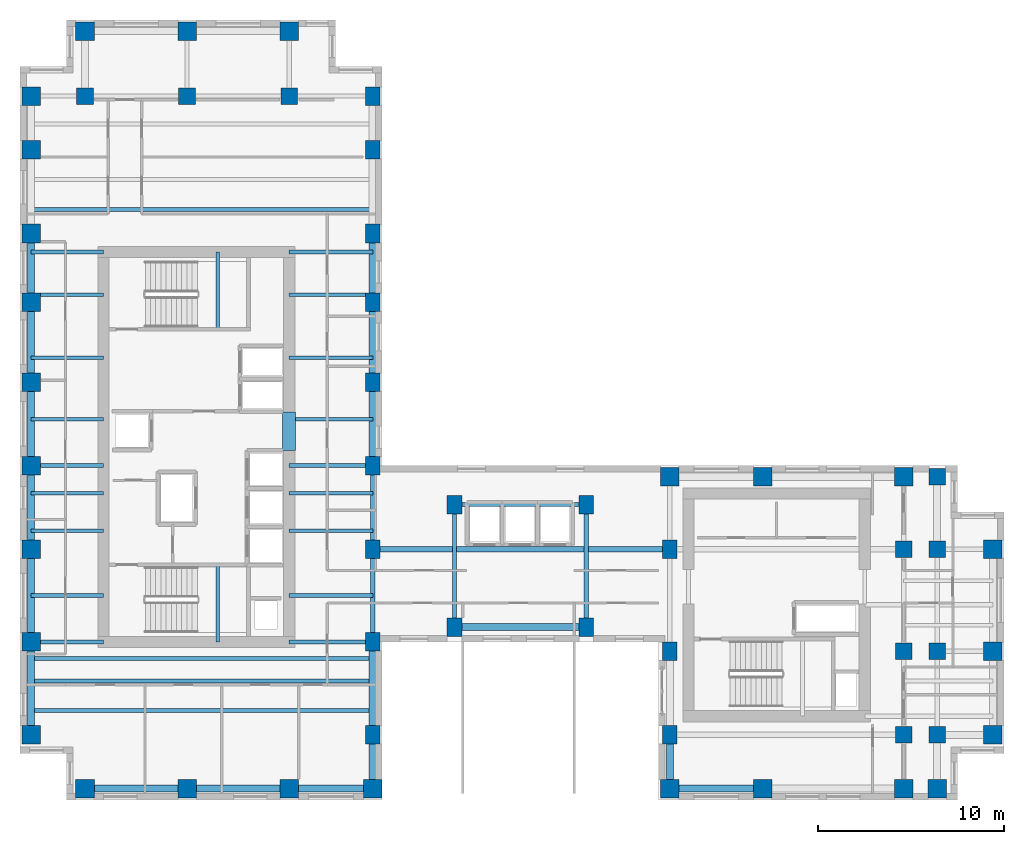
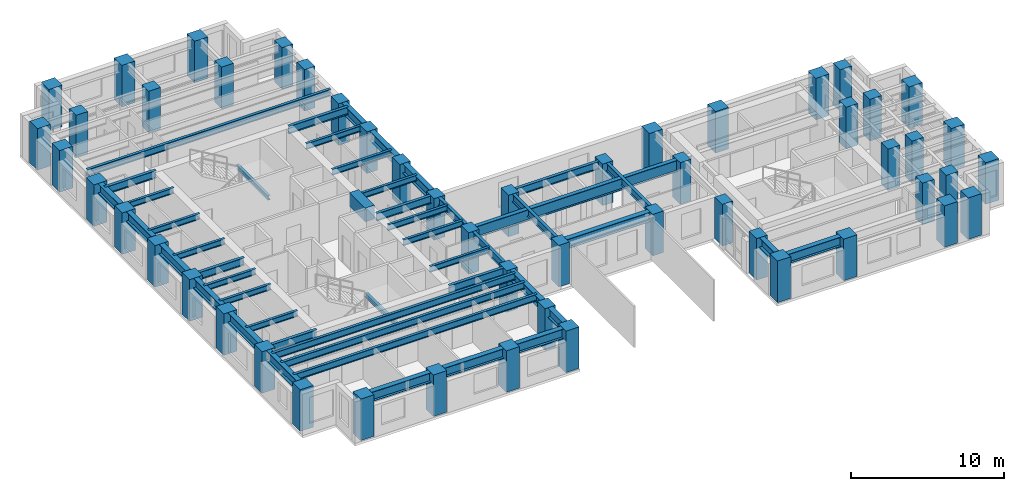
# One storey, part 1 of 12: 52 columns, 48 beams.
"""IFC4 building model written with IfcOpenShell, lengths in metres."""

from ifc_helpers import new_model, si_unit, direction, frame, origin, origin_2d, place, context, subcontext, project, spatial, rectangle, i_section, extrude, source, transform, mapped, material, material_profile, profile_set, type_object, element, save


model = new_model("IFC4")

# Units and contexts
model_context = context("Model", 3, precision=1e-05, world=origin(), true_north=direction((0.0, 1.0)))
body_context = subcontext(model_context, "Body", "Model", "MODEL_VIEW")
ifc_project = project(units=[si_unit("LENGTHUNIT", "METRE"), si_unit("AREAUNIT", "SQUARE_METRE"), si_unit("VOLUMEUNIT", "CUBIC_METRE"), si_unit("PLANEANGLEUNIT", "RADIAN"), si_unit("MASSUNIT", "GRAM", prefix="KILO")], contexts=[model_context])

# Site, building, storey
site_placement = place(None, origin())
site = spatial("IfcSite", under=ifc_project, at=site_placement, CompositionType="ELEMENT")
building_placement = place(site_placement, origin())
building = spatial("IfcBuilding", under=site, at=building_placement, Name="Kharzan Plaza Tower", CompositionType="ELEMENT")
storey_placement = place(building_placement, frame((0.0, 0.0, 204.300048828125)))
storey = spatial("IfcBuildingStorey", under=building, at=storey_placement, Name="L55", CompositionType="ELEMENT", Elevation=204.300048828125)

# Columns
ifc_material_1 = material(Name="Concrete C50/60", Category="concrete")
ifc_material_profile_1 = material_profile(ifc_material_1, rectangle(XDim=0.89990234375, YDim=0.89990234375, at=origin_2d()), Name="RC-IC900x900")
ifc_profile_set_1 = profile_set([ifc_material_profile_1], Name="Concrete C50/60")
column_type_1 = type_object("IfcColumnType", Name="COL-IC900", PredefinedType="COLUMN", material=ifc_profile_set_1)
shared_shape_1 = source(origin(), body_context, "Body", "SweptSolid", [
    extrude(rectangle(XDim=0.89990234375, YDim=0.89990234375, at=origin_2d()), origin(), (0.0, 0.0, 1.0), 3.320068359375),
])
for number, where, z_axis, x_axis, name in (
    (1, (47.60009765625, 13.5, 0.0), (0.0, 0.0, 1.0), (1.0, 0.0, 0.0), "L55 Structural Column TCBI-135"),
    (2, (47.60009765625, 3.5, 0.0), (0.0, 0.0, 1.0), (1.0, 0.0, 0.0), "L55 Structural Column TCBI-35"),
    (3, (47.60009765625, 8.0, 0.0), (0.0, 0.0, 1.0), (1.0, 0.0, 0.0), "L55 Structural Column TCBI-80"),
    (4, (49.39990234375, 13.5, 0.0), (0.0, 0.0, 1.0), (1.0, 0.0, 0.0), "L55 Structural Column TCE-494-135"),
    (5, (49.39990234375, 17.39990234375, 0.0), (0.0, 0.0, 1.0), (1.0, 0.0, 0.0), "L55 Structural Column TCE-494-174"),
    (6, (49.39990234375, 3.5, 0.0), (0.0, 0.0, 1.0), (1.0, 0.0, 0.0), "L55 Structural Column TCE-494-35"),
    (7, (49.39990234375, 8.0, 0.0), (0.0, 0.0, 1.0), (1.0, 0.0, 0.0), "L55 Structural Column TCE-494-80"),
    (8, (14.5, 37.89990234375, 0.0), (0.0, 0.0, 1.0), (1.0, 0.0, 0.0), "L55 Structural Column TCN-145-379"),
    (9, (3.5, 37.89990234375, 0.0), (0.0, 0.0, 1.0), (1.0, 0.0, 0.0), "L55 Structural Column TCN-35-379"),
    (10, (9.0, 37.89990234375, 0.0), (0.0, 0.0, 1.0), (1.0, 0.0, 0.0), "L55 Structural Column TCN-90-379"),
):
    element("IfcColumn", number, at=place(storey_placement, frame(where, z_axis=z_axis, x_axis=x_axis)), inside=storey, type_object=column_type_1, Name=name, PredefinedType="COLUMN", context=body_context, shape_type="MappedRepresentation", body=[
        mapped(shared_shape_1, transform((0.0, 0.0, 0.0), x_axis=(1.0, 0.0, 0.0), y_axis=(0.0, 1.0, 0.0), z_axis=(0.0, 0.0, 1.0))),
    ])
ifc_material_profile_2 = material_profile(ifc_material_1, rectangle(XDim=0.800048828125, YDim=1.0, at=origin_2d()), Name="RC-SC1000x800")
ifc_profile_set_2 = profile_set([ifc_material_profile_2], Name="Concrete C50/60")
column_type_2 = type_object("IfcColumnType", Name="COL-SC1000", PredefinedType="COLUMN", material=ifc_profile_set_2)
shared_shape_2 = source(origin(), body_context, "Body", "SweptSolid", [
    extrude(rectangle(XDim=0.800048828125, YDim=1.0, at=origin_2d()), origin(), (0.0, 0.0, 1.0), 3.320068359375),
])
for number, where, z_axis, x_axis, name in (
    (11, (19.0, 13.5, 0.0), (0.0, 0.0, 1.0), (1.0, 0.0, 0.0), "L55 Structural Column TCA-135"),
    (12, (19.0, 18.0, 0.0), (0.0, 0.0, 1.0), (1.0, 0.0, 0.0), "L55 Structural Column TCA-180"),
    (13, (19.0, 22.5, 0.0), (0.0, 0.0, 1.0), (1.0, 0.0, 0.0), "L55 Structural Column TCA-225"),
    (14, (19.0, 26.800048828125, 0.0), (0.0, 0.0, 1.0), (1.0, 0.0, 0.0), "L55 Structural Column TCA-268"),
    (15, (19.0, 30.5, 0.0), (0.0, 0.0, 1.0), (1.0, 0.0, 0.0), "L55 Structural Column TCA-305"),
    (16, (19.0, 3.5, 0.0), (0.0, 0.0, 1.0), (1.0, 0.0, 0.0), "L55 Structural Column TCA-35"),
    (17, (19.0, 35.0, 0.0), (0.0, 0.0, 1.0), (1.0, 0.0, 0.0), "L55 Structural Column TCA-350"),
    (18, (19.0, 37.89990234375, 0.0), (0.0, 0.0, 1.0), (1.0, 0.0, 0.0), "L55 Structural Column TCA-379"),
    (19, (19.0, 8.5, 0.0), (0.0, 0.0, 1.0), (1.0, 0.0, 0.0), "L55 Structural Column TCA-85"),
    (20, (35.0, 13.5, 0.0), (0.0, 0.0, 1.0), (1.0, 0.0, 0.0), "L55 Structural Column TCBS-135"),
    (21, (35.0, 3.5, 0.0), (0.0, 0.0, 1.0), (1.0, 0.0, 0.0), "L55 Structural Column TCBS-35"),
    (22, (35.0, 8.0, 0.0), (0.0, 0.0, 1.0), (1.0, 0.0, 0.0), "L55 Structural Column TCBS-80"),
    (23, (23.39990234375, 15.89990234375, 0.0), (0.0, 0.0, 1.0), (1.0, 0.0, 0.0), "L55 Structural Column TCSP-234-159"),
    (24, (23.39990234375, 9.300048828125, 0.0), (0.0, 0.0, 1.0), (1.0, 0.0, 0.0), "L55 Structural Column TCSP-234-93"),
    (25, (30.5, 15.89990234375, 0.0), (0.0, 0.0, 1.0), (1.0, 0.0, 0.0), "L55 Structural Column TCSP-305-159"),
    (26, (30.5, 9.300048828125, 0.0), (0.0, 0.0, 1.0), (1.0, 0.0, 0.0), "L55 Structural Column TCSP-305-93"),
):
    element("IfcColumn", number, at=place(storey_placement, frame(where, z_axis=z_axis, x_axis=x_axis)), inside=storey, type_object=column_type_2, Name=name, PredefinedType="COLUMN", context=body_context, shape_type="MappedRepresentation", body=[
        mapped(shared_shape_2, transform((0.0, 0.0, 0.0), x_axis=(1.0, 0.0, 0.0), y_axis=(0.0, 1.0, 0.0), z_axis=(0.0, 0.0, 1.0))),
    ])
ifc_material_profile_3 = material_profile(ifc_material_1, rectangle(XDim=1.0, YDim=1.0, at=origin_2d()), Name="RC-TC1000x1000")
ifc_profile_set_3 = profile_set([ifc_material_profile_3], Name="Concrete C50/60")
column_type_3 = type_object("IfcColumnType", Name="COL-TC1000", PredefinedType="COLUMN", material=ifc_profile_set_3)
shared_shape_3 = source(origin(), body_context, "Body", "SweptSolid", [
    extrude(rectangle(XDim=1.0, YDim=1.0, at=origin_2d()), origin(), (0.0, 0.0, 1.0), 3.320068359375),
])
for number, where, z_axis, x_axis, name in (
    (27, (35.0, 17.39990234375, 0.0), (0.0, 0.0, 1.0), (1.0, 0.0, 0.0), "L55 Structural Column TCBN-350-174"),
    (28, (40.0, 17.39990234375, 0.0), (0.0, 0.0, 1.0), (1.0, 0.0, 0.0), "L55 Structural Column TCBN-400-174"),
    (29, (47.60009765625, 17.39990234375, 0.0), (0.0, 0.0, 1.0), (1.0, 0.0, 0.0), "L55 Structural Column TCBN-476-174"),
    (30, (52.39990234375, 13.5, 0.0), (0.0, 0.0, 1.0), (1.0, 0.0, 0.0), "L55 Structural Column TCE-524-135"),
    (31, (52.39990234375, 3.5, 0.0), (0.0, 0.0, 1.0), (1.0, 0.0, 0.0), "L55 Structural Column TCE-524-35"),
    (32, (52.39990234375, 8.0, 0.0), (0.0, 0.0, 1.0), (1.0, 0.0, 0.0), "L55 Structural Column TCE-524-80"),
    (33, (14.5, 41.39990234375, 0.0), (0.0, 0.0, 1.0), (1.0, 0.0, 0.0), "L55 Structural Column TCN-145-414"),
    (34, (3.5, 41.39990234375, 0.0), (0.0, 0.0, 1.0), (1.0, 0.0, 0.0), "L55 Structural Column TCN-35-414"),
    (35, (9.0, 41.39990234375, 0.0), (0.0, 0.0, 1.0), (1.0, 0.0, 0.0), "L55 Structural Column TCN-90-414"),
    (36, (14.5, 0.60009765625, 0.0), (0.0, 0.0, 1.0), (1.0, 0.0, 0.0), "L55 Structural Column TCS-145"),
    (37, (19.0, 0.60009765625, 0.0), (0.0, 0.0, 1.0), (1.0, 0.0, 0.0), "L55 Structural Column TCS-190"),
    (38, (3.5, 0.60009765625, 0.0), (0.0, 0.0, 1.0), (1.0, 0.0, 0.0), "L55 Structural Column TCS-35"),
    (39, (35.0, 0.60009765625, 0.0), (0.0, 0.0, 1.0), (1.0, 0.0, 0.0), "L55 Structural Column TCS-350"),
    (40, (40.0, 0.60009765625, 0.0), (0.0, 0.0, 1.0), (1.0, 0.0, 0.0), "L55 Structural Column TCS-400"),
    (41, (47.60009765625, 0.60009765625, 0.0), (0.0, 0.0, 1.0), (1.0, 0.0, 0.0), "L55 Structural Column TCS-476"),
    (42, (49.39990234375, 0.60009765625, 0.0), (0.0, 0.0, 1.0), (1.0, 0.0, 0.0), "L55 Structural Column TCS-494"),
    (43, (9.0, 0.60009765625, 0.0), (0.0, 0.0, 1.0), (1.0, 0.0, 0.0), "L55 Structural Column TCS-90"),
    (44, (0.60009765625, 13.5, 0.0), (0.0, 0.0, 1.0), (1.0, 0.0, 0.0), "L55 Structural Column TCW-135"),
    (45, (0.60009765625, 18.0, 0.0), (0.0, 0.0, 1.0), (1.0, 0.0, 0.0), "L55 Structural Column TCW-180"),
    (46, (0.60009765625, 22.5, 0.0), (0.0, 0.0, 1.0), (1.0, 0.0, 0.0), "L55 Structural Column TCW-225"),
    (47, (0.60009765625, 26.800048828125, 0.0), (0.0, 0.0, 1.0), (1.0, 0.0, 0.0), "L55 Structural Column TCW-268"),
    (48, (0.60009765625, 30.5, 0.0), (0.0, 0.0, 1.0), (1.0, 0.0, 0.0), "L55 Structural Column TCW-305"),
    (49, (0.60009765625, 3.5, 0.0), (0.0, 0.0, 1.0), (1.0, 0.0, 0.0), "L55 Structural Column TCW-35"),
    (50, (0.60009765625, 35.0, 0.0), (0.0, 0.0, 1.0), (1.0, 0.0, 0.0), "L55 Structural Column TCW-350"),
    (51, (0.60009765625, 37.89990234375, 0.0), (0.0, 0.0, 1.0), (1.0, 0.0, 0.0), "L55 Structural Column TCW-379"),
    (52, (0.60009765625, 8.5, 0.0), (0.0, 0.0, 1.0), (1.0, 0.0, 0.0), "L55 Structural Column TCW-85"),
):
    element("IfcColumn", number, at=place(storey_placement, frame(where, z_axis=z_axis, x_axis=x_axis)), inside=storey, type_object=column_type_3, Name=name, PredefinedType="COLUMN", context=body_context, shape_type="MappedRepresentation", body=[
        mapped(shared_shape_3, transform((0.0, 0.0, 0.0), x_axis=(1.0, 0.0, 0.0), y_axis=(0.0, 1.0, 0.0), z_axis=(0.0, 0.0, 1.0))),
    ])

# Beams
ifc_material_2 = material(Name="Concrete C60/75", Category="concrete")
ifc_material_profile_4 = material_profile(ifc_material_2, rectangle(XDim=0.699951171875, YDim=1.10009765625, at=origin_2d()), Name="RC-CB1100x700")
ifc_profile_set_4 = profile_set([ifc_material_profile_4], Name="Concrete C60/75")
beam_type_1 = type_object("IfcBeamType", Name="BM-RCCB1100", PredefinedType="LINTEL", material=ifc_profile_set_4)
shared_shape_4 = source(origin(), body_context, "Body", "SweptSolid", [
    extrude(rectangle(XDim=0.699951171875, YDim=1.10009765625, at=origin_2d()), origin(), (0.0, 0.0, 1.0), 2.059814453125),
])
beam_1_placement = place(storey_placement, frame((14.5, 18.820068359375, 2.77001953125), z_axis=(0.0, 1.0, 0.0), x_axis=(-1.0, 0.0, 0.0)))
element("IfcBeam", 53, at=beam_1_placement, inside=storey, type_object=beam_type_1, Name="L55 CORE-A RC coupling beam CB1", PredefinedType="LINTEL", context=body_context, shape_type="MappedRepresentation", body=[
    mapped(shared_shape_4, transform((0.0, 0.0, 0.0), x_axis=(1.0, 0.0, 0.0), y_axis=(0.0, 1.0, 0.0), z_axis=(0.0, 0.0, 1.0))),
])
ifc_material_3 = material(Name="Steel S355", Category="steel")
ifc_material_profile_5 = material_profile(ifc_material_3, i_section(OverallWidth=0.205078125, OverallDepth=0.35400390625, WebThickness=0.009521484375, FlangeThickness=0.016845703125, at=origin_2d()), Name="W360x79")
ifc_profile_set_5 = profile_set([ifc_material_profile_5], Name="Steel S355")
beam_type_2 = type_object("IfcBeamType", Name="BM-LNT360", PredefinedType="LINTEL", material=ifc_profile_set_5)
shared_shape_5 = source(origin(), body_context, "Body", "SweptSolid", [
    extrude(i_section(OverallWidth=0.205078125, OverallDepth=0.35400390625, WebThickness=0.009521484375, FlangeThickness=0.016845703125, at=origin_2d()), origin(), (0.0, 0.0, 1.0), 4.155029296875),
])
for number, where, z_axis, x_axis, name in (
    (54, (10.64990234375, 8.5, 1.4228515625), (0.0, 1.0, 0.0), (-1.0, 0.0, 0.0), "L55 Stair ST-1 Half-Landing Beam"),
    (55, (10.64990234375, 25.344970703125, 1.4228515625), (0.0, 1.0, 0.0), (-1.0, 0.0, 0.0), "L55 Stair ST-2 Half-Landing Beam"),
):
    element("IfcBeam", number, at=place(storey_placement, frame(where, z_axis=z_axis, x_axis=x_axis)), inside=storey, type_object=beam_type_2, Name=name, PredefinedType="LINTEL", context=body_context, shape_type="MappedRepresentation", body=[
        mapped(shared_shape_5, transform((0.0, 0.0, 0.0), x_axis=(1.0, 0.0, 0.0), y_axis=(0.0, 1.0, 0.0), z_axis=(0.0, 0.0, 1.0))),
    ])
ifc_material_profile_6 = material_profile(ifc_material_3, i_section(OverallWidth=0.304931640625, OverallDepth=0.9189453125, WebThickness=0.017333984375, FlangeThickness=0.02783203125, at=origin_2d()), Name="W920x253")
ifc_profile_set_6 = profile_set([ifc_material_profile_6], Name="Steel S355")
beam_type_3 = type_object("IfcBeamType", Name="BM-FG920B", PredefinedType="BEAM", material=ifc_profile_set_6)
shared_shape_6 = source(origin(), body_context, "Body", "SweptSolid", [
    extrude(i_section(OverallWidth=0.304931640625, OverallDepth=0.9189453125, WebThickness=0.017333984375, FlangeThickness=0.02783203125, at=origin_2d()), origin(), (0.0, 0.0, 1.0), 16.0),
])
beam_2_placement = place(storey_placement, frame((19.0, 13.5, 2.8603515625), z_axis=(1.0, 0.0, 0.0), x_axis=(0.0, 1.0, 0.0)))
element("IfcBeam", 56, at=beam_2_placement, inside=storey, type_object=beam_type_3, Name="L55 Primary Floor Girder", PredefinedType="BEAM", context=body_context, shape_type="MappedRepresentation", body=[
    mapped(shared_shape_6, transform((0.0, 0.0, 0.0), x_axis=(1.0, 0.0, 0.0), y_axis=(0.0, 1.0, 0.0), z_axis=(0.0, 0.0, 1.0))),
])
ifc_material_profile_7 = material_profile(ifc_material_3, i_section(OverallWidth=0.2099609375, OverallDepth=0.537109375, WebThickness=0.010986328125, FlangeThickness=0.017333984375, at=origin_2d()), Name="W530x101")
ifc_profile_set_7 = profile_set([ifc_material_profile_7], Name="Steel S355")
beam_type_4 = type_object("IfcBeamType", Name="BM-JST530B", PredefinedType="JOIST", material=ifc_profile_set_7)
shared_shape_7 = source(origin(), body_context, "Body", "SweptSolid", [
    extrude(i_section(OverallWidth=0.2099609375, OverallDepth=0.537109375, WebThickness=0.010986328125, FlangeThickness=0.017333984375, at=origin_2d()), origin(), (0.0, 0.0, 1.0), 18.39990234375),
])
for number, where, z_axis, x_axis, name in (
    (57, (0.60009765625, 4.800048828125, 3.051513671875), (1.0, 0.0, 0.0), (0.0, 1.0, 0.0), "L55 Wing A Composite Joist 01"),
    (58, (0.60009765625, 6.39990234375, 3.051513671875), (1.0, 0.0, 0.0), (0.0, 1.0, 0.0), "L55 Wing A Composite Joist 02"),
    (59, (0.60009765625, 7.60009765625, 3.051513671875), (1.0, 0.0, 0.0), (0.0, 1.0, 0.0), "L55 Wing A Composite Joist 03"),
    (60, (0.60009765625, 31.800048828125, 3.051513671875), (1.0, 0.0, 0.0), (0.0, 1.0, 0.0), "L55 Wing A Composite Joist 04"),
):
    element("IfcBeam", number, at=place(storey_placement, frame(where, z_axis=z_axis, x_axis=x_axis)), inside=storey, type_object=beam_type_4, Name=name, PredefinedType="JOIST", context=body_context, shape_type="MappedRepresentation", body=[
        mapped(shared_shape_7, transform((0.0, 0.0, 0.0), x_axis=(1.0, 0.0, 0.0), y_axis=(0.0, 1.0, 0.0), z_axis=(0.0, 0.0, 1.0))),
    ])
ifc_material_profile_8 = material_profile(ifc_material_3, i_section(OverallWidth=0.194091796875, OverallDepth=0.468994140625, WebThickness=0.011474609375, FlangeThickness=0.0205078125, at=origin_2d()), Name="W460x106")
ifc_profile_set_8 = profile_set([ifc_material_profile_8], Name="Steel S355")
beam_type_5 = type_object("IfcBeamType", Name="BM-JST460", PredefinedType="JOIST", material=ifc_profile_set_8)
shared_shape_8 = source(origin(), body_context, "Body", "SweptSolid", [
    extrude(i_section(OverallWidth=0.194091796875, OverallDepth=0.468994140625, WebThickness=0.011474609375, FlangeThickness=0.0205078125, at=origin_2d()), origin(), (0.0, 0.0, 1.0), 4.5),
])
for number, where, z_axis, x_axis, name in (
    (61, (14.5, 11.0, 3.08544921875), (1.0, 0.0, 0.0), (0.0, 1.0, 0.0), "L55 Wing A East Infill Joist 1"),
    (62, (14.5, 14.5, 3.08544921875), (1.0, 0.0, 0.0), (0.0, 1.0, 0.0), "L55 Wing A East Infill Joist 2"),
    (63, (14.5, 16.5, 3.08544921875), (1.0, 0.0, 0.0), (0.0, 1.0, 0.0), "L55 Wing A East Infill Joist 3"),
    (64, (14.5, 20.5, 3.08544921875), (1.0, 0.0, 0.0), (0.0, 1.0, 0.0), "L55 Wing A East Infill Joist 4"),
    (65, (14.5, 23.800048828125, 3.08544921875), (1.0, 0.0, 0.0), (0.0, 1.0, 0.0), "L55 Wing A East Infill Joist 5"),
    (66, (14.5, 27.199951171875, 3.08544921875), (1.0, 0.0, 0.0), (0.0, 1.0, 0.0), "L55 Wing A East Infill Joist 6"),
):
    element("IfcBeam", number, at=place(storey_placement, frame(where, z_axis=z_axis, x_axis=x_axis)), inside=storey, type_object=beam_type_5, Name=name, PredefinedType="JOIST", context=body_context, shape_type="MappedRepresentation", body=[
        mapped(shared_shape_8, transform((0.0, 0.0, 0.0), x_axis=(1.0, 0.0, 0.0), y_axis=(0.0, 1.0, 0.0), z_axis=(0.0, 0.0, 1.0))),
    ])
shared_shape_9 = source(origin(), body_context, "Body", "SweptSolid", [
    extrude(i_section(OverallWidth=0.194091796875, OverallDepth=0.468994140625, WebThickness=0.011474609375, FlangeThickness=0.0205078125, at=origin_2d()), origin(), (0.0, 0.0, 1.0), 3.89990234375),
])
for number, where, z_axis, x_axis, name in (
    (67, (0.60009765625, 11.0, 3.08544921875), (1.0, 0.0, 0.0), (0.0, 1.0, 0.0), "L55 Wing A West Infill Joist 1"),
    (68, (0.60009765625, 14.5, 3.08544921875), (1.0, 0.0, 0.0), (0.0, 1.0, 0.0), "L55 Wing A West Infill Joist 2"),
    (69, (0.60009765625, 16.5, 3.08544921875), (1.0, 0.0, 0.0), (0.0, 1.0, 0.0), "L55 Wing A West Infill Joist 3"),
    (70, (0.60009765625, 20.5, 3.08544921875), (1.0, 0.0, 0.0), (0.0, 1.0, 0.0), "L55 Wing A West Infill Joist 4"),
    (71, (0.60009765625, 23.800048828125, 3.08544921875), (1.0, 0.0, 0.0), (0.0, 1.0, 0.0), "L55 Wing A West Infill Joist 5"),
    (72, (0.60009765625, 27.199951171875, 3.08544921875), (1.0, 0.0, 0.0), (0.0, 1.0, 0.0), "L55 Wing A West Infill Joist 6"),
):
    element("IfcBeam", number, at=place(storey_placement, frame(where, z_axis=z_axis, x_axis=x_axis)), inside=storey, type_object=beam_type_5, Name=name, PredefinedType="JOIST", context=body_context, shape_type="MappedRepresentation", body=[
        mapped(shared_shape_9, transform((0.0, 0.0, 0.0), x_axis=(1.0, 0.0, 0.0), y_axis=(0.0, 1.0, 0.0), z_axis=(0.0, 0.0, 1.0))),
    ])
ifc_material_profile_9 = material_profile(ifc_material_3, i_section(OverallWidth=0.22900390625, OverallDepth=0.612060546875, WebThickness=0.011962890625, FlangeThickness=0.01953125, at=origin_2d()), Name="W610x125")
ifc_profile_set_9 = profile_set([ifc_material_profile_9], Name="Steel S355")
beam_type_6 = type_object("IfcBeamType", Name="BM-FG610B", PredefinedType="BEAM", material=ifc_profile_set_9)
shared_shape_10 = source(origin(), body_context, "Body", "SweptSolid", [
    extrude(i_section(OverallWidth=0.22900390625, OverallDepth=0.612060546875, WebThickness=0.011962890625, FlangeThickness=0.01953125, at=origin_2d()), origin(), (0.0, 0.0, 1.0), 4.5),
])
for number, where, z_axis, x_axis, name in (
    (73, (14.5, 8.5, 3.013916015625), (1.0, 0.0, 0.0), (0.0, 1.0, 0.0), "L55 Core-A East Floor Girder 1"),
    (74, (14.5, 18.0, 3.013916015625), (1.0, 0.0, 0.0), (0.0, 1.0, 0.0), "L55 Core-A East Floor Girder 2"),
    (75, (14.5, 29.5, 3.013916015625), (1.0, 0.0, 0.0), (0.0, 1.0, 0.0), "L55 Core-A East Floor Girder 3"),
    (76, (19.0, 13.5, 3.013916015625), (0.0, 1.0, 0.0), (-1.0, 0.0, 0.0), "L55 Interior Frame Girder"),
):
    element("IfcBeam", number, at=place(storey_placement, frame(where, z_axis=z_axis, x_axis=x_axis)), inside=storey, type_object=beam_type_6, Name=name, PredefinedType="BEAM", context=body_context, shape_type="MappedRepresentation", body=[
        mapped(shared_shape_10, transform((0.0, 0.0, 0.0), x_axis=(1.0, 0.0, 0.0), y_axis=(0.0, 1.0, 0.0), z_axis=(0.0, 0.0, 1.0))),
    ])
shared_shape_11 = source(origin(), body_context, "Body", "SweptSolid", [
    extrude(i_section(OverallWidth=0.22900390625, OverallDepth=0.612060546875, WebThickness=0.011962890625, FlangeThickness=0.01953125, at=origin_2d()), origin(), (0.0, 0.0, 1.0), 3.89990234375),
])
for number, where, z_axis, x_axis, name in (
    (77, (0.60009765625, 8.5, 3.013916015625), (1.0, 0.0, 0.0), (0.0, 1.0, 0.0), "L55 Core-A West Floor Girder 1"),
    (78, (0.60009765625, 18.0, 3.013916015625), (1.0, 0.0, 0.0), (0.0, 1.0, 0.0), "L55 Core-A West Floor Girder 2"),
    (79, (0.60009765625, 29.5, 3.013916015625), (1.0, 0.0, 0.0), (0.0, 1.0, 0.0), "L55 Core-A West Floor Girder 3"),
):
    element("IfcBeam", number, at=place(storey_placement, frame(where, z_axis=z_axis, x_axis=x_axis)), inside=storey, type_object=beam_type_6, Name=name, PredefinedType="BEAM", context=body_context, shape_type="MappedRepresentation", body=[
        mapped(shared_shape_11, transform((0.0, 0.0, 0.0), x_axis=(1.0, 0.0, 0.0), y_axis=(0.0, 1.0, 0.0), z_axis=(0.0, 0.0, 1.0))),
    ])
shared_shape_12 = source(origin(), body_context, "Body", "SweptSolid", [
    extrude(i_section(OverallWidth=0.22900390625, OverallDepth=0.612060546875, WebThickness=0.011962890625, FlangeThickness=0.01953125, at=origin_2d()), origin(), (0.0, 0.0, 1.0), 5.0),
])
beam_3_placement = place(storey_placement, frame((19.0, 8.5, 3.013916015625), z_axis=(0.0, 1.0, 0.0), x_axis=(-1.0, 0.0, 0.0)))
element("IfcBeam", 80, at=beam_3_placement, inside=storey, type_object=beam_type_6, Name="L55 Interior Frame Girder", PredefinedType="BEAM", context=body_context, shape_type="MappedRepresentation", body=[
    mapped(shared_shape_12, transform((0.0, 0.0, 0.0), x_axis=(1.0, 0.0, 0.0), y_axis=(0.0, 1.0, 0.0), z_axis=(0.0, 0.0, 1.0))),
])
shared_shape_13 = source(origin(), body_context, "Body", "SweptSolid", [
    extrude(i_section(OverallWidth=0.22900390625, OverallDepth=0.612060546875, WebThickness=0.011962890625, FlangeThickness=0.01953125, at=origin_2d()), origin(), (0.0, 0.0, 1.0), 6.599853515625),
])
for number, where, z_axis, x_axis, name in (
    (81, (23.39990234375, 9.300048828125, 3.013916015625), (0.0, 1.0, 0.0), (-1.0, 0.0, 0.0), "L55 Interior Frame Girder"),
    (82, (30.5, 9.300048828125, 3.013916015625), (0.0, 1.0, 0.0), (-1.0, 0.0, 0.0), "L55 Interior Frame Girder"),
):
    element("IfcBeam", number, at=place(storey_placement, frame(where, z_axis=z_axis, x_axis=x_axis)), inside=storey, type_object=beam_type_6, Name=name, PredefinedType="BEAM", context=body_context, shape_type="MappedRepresentation", body=[
        mapped(shared_shape_13, transform((0.0, 0.0, 0.0), x_axis=(1.0, 0.0, 0.0), y_axis=(0.0, 1.0, 0.0), z_axis=(0.0, 0.0, 1.0))),
    ])
shared_shape_14 = source(origin(), body_context, "Body", "SweptSolid", [
    extrude(i_section(OverallWidth=0.22900390625, OverallDepth=0.612060546875, WebThickness=0.011962890625, FlangeThickness=0.01953125, at=origin_2d()), origin(), (0.0, 0.0, 1.0), 7.10009765625),
])
beam_4_placement = place(storey_placement, frame((23.39990234375, 15.89990234375, 3.013916015625), z_axis=(1.0, 0.0, 0.0), x_axis=(0.0, 1.0, 0.0)))
element("IfcBeam", 83, at=beam_4_placement, inside=storey, type_object=beam_type_6, Name="L55 Primary Floor Girder", PredefinedType="BEAM", context=body_context, shape_type="MappedRepresentation", body=[
    mapped(shared_shape_14, transform((0.0, 0.0, 0.0), x_axis=(1.0, 0.0, 0.0), y_axis=(0.0, 1.0, 0.0), z_axis=(0.0, 0.0, 1.0))),
])
ifc_material_profile_10 = material_profile(ifc_material_3, i_section(OverallWidth=0.381103515625, OverallDepth=0.77294921875, WebThickness=0.0166015625, FlangeThickness=0.027587890625, at=origin_2d()), Name="W760x257")
ifc_profile_set_10 = profile_set([ifc_material_profile_10], Name="Steel S355")
beam_type_7 = type_object("IfcBeamType", Name="BM-SP760A", PredefinedType="SPANDREL", material=ifc_profile_set_10)
shared_shape_15 = source(origin(), body_context, "Body", "SweptSolid", [
    extrude(i_section(OverallWidth=0.381103515625, OverallDepth=0.77294921875, WebThickness=0.0166015625, FlangeThickness=0.027587890625, at=origin_2d()), origin(), (0.0, 0.0, 1.0), 5.0),
])
for number, where, z_axis, x_axis, name in (
    (84, (0.60009765625, 3.5, 2.933349609375), (0.0, 1.0, 0.0), (-1.0, 0.0, 0.0), "L55 Perimeter Tube Spandrel"),
    (85, (0.60009765625, 8.5, 2.933349609375), (0.0, 1.0, 0.0), (-1.0, 0.0, 0.0), "L55 Perimeter Tube Spandrel"),
    (86, (19.0, 3.5, 2.933349609375), (0.0, 1.0, 0.0), (-1.0, 0.0, 0.0), "L55 Perimeter Tube Spandrel"),
    (87, (35.0, 0.60009765625, 2.933349609375), (1.0, 0.0, 0.0), (0.0, 1.0, 0.0), "L55 Perimeter Tube Spandrel"),
):
    element("IfcBeam", number, at=place(storey_placement, frame(where, z_axis=z_axis, x_axis=x_axis)), inside=storey, type_object=beam_type_7, Name=name, PredefinedType="SPANDREL", context=body_context, shape_type="MappedRepresentation", body=[
        mapped(shared_shape_15, transform((0.0, 0.0, 0.0), x_axis=(1.0, 0.0, 0.0), y_axis=(0.0, 1.0, 0.0), z_axis=(0.0, 0.0, 1.0))),
    ])
shared_shape_16 = source(origin(), body_context, "Body", "SweptSolid", [
    extrude(i_section(OverallWidth=0.381103515625, OverallDepth=0.77294921875, WebThickness=0.0166015625, FlangeThickness=0.027587890625, at=origin_2d()), origin(), (0.0, 0.0, 1.0), 4.5),
])
for number, where, z_axis, x_axis, name in (
    (88, (0.60009765625, 13.5, 2.933349609375), (0.0, 1.0, 0.0), (-1.0, 0.0, 0.0), "L55 Perimeter Tube Spandrel"),
    (89, (0.60009765625, 18.0, 2.933349609375), (0.0, 1.0, 0.0), (-1.0, 0.0, 0.0), "L55 Perimeter Tube Spandrel"),
    (90, (19.0, 18.0, 2.933349609375), (0.0, 1.0, 0.0), (-1.0, 0.0, 0.0), "L55 Perimeter Tube Spandrel"),
    (91, (14.5, 0.60009765625, 2.933349609375), (1.0, 0.0, 0.0), (0.0, 1.0, 0.0), "L55 Perimeter Tube Spandrel"),
):
    element("IfcBeam", number, at=place(storey_placement, frame(where, z_axis=z_axis, x_axis=x_axis)), inside=storey, type_object=beam_type_7, Name=name, PredefinedType="SPANDREL", context=body_context, shape_type="MappedRepresentation", body=[
        mapped(shared_shape_16, transform((0.0, 0.0, 0.0), x_axis=(1.0, 0.0, 0.0), y_axis=(0.0, 1.0, 0.0), z_axis=(0.0, 0.0, 1.0))),
    ])
shared_shape_17 = source(origin(), body_context, "Body", "SweptSolid", [
    extrude(i_section(OverallWidth=0.381103515625, OverallDepth=0.77294921875, WebThickness=0.0166015625, FlangeThickness=0.027587890625, at=origin_2d()), origin(), (0.0, 0.0, 1.0), 4.300048828125),
])
for number, where, z_axis, x_axis, name in (
    (92, (0.60009765625, 22.5, 2.933349609375), (0.0, 1.0, 0.0), (-1.0, 0.0, 0.0), "L55 Perimeter Tube Spandrel"),
    (93, (19.0, 22.5, 2.933349609375), (0.0, 1.0, 0.0), (-1.0, 0.0, 0.0), "L55 Perimeter Tube Spandrel"),
):
    element("IfcBeam", number, at=place(storey_placement, frame(where, z_axis=z_axis, x_axis=x_axis)), inside=storey, type_object=beam_type_7, Name=name, PredefinedType="SPANDREL", context=body_context, shape_type="MappedRepresentation", body=[
        mapped(shared_shape_17, transform((0.0, 0.0, 0.0), x_axis=(1.0, 0.0, 0.0), y_axis=(0.0, 1.0, 0.0), z_axis=(0.0, 0.0, 1.0))),
    ])
shared_shape_18 = source(origin(), body_context, "Body", "SweptSolid", [
    extrude(i_section(OverallWidth=0.381103515625, OverallDepth=0.77294921875, WebThickness=0.0166015625, FlangeThickness=0.027587890625, at=origin_2d()), origin(), (0.0, 0.0, 1.0), 3.699951171875),
])
for number, where, z_axis, x_axis, name in (
    (94, (0.60009765625, 26.800048828125, 2.933349609375), (0.0, 1.0, 0.0), (-1.0, 0.0, 0.0), "L55 Perimeter Tube Spandrel"),
    (95, (19.0, 26.800048828125, 2.933349609375), (0.0, 1.0, 0.0), (-1.0, 0.0, 0.0), "L55 Perimeter Tube Spandrel"),
):
    element("IfcBeam", number, at=place(storey_placement, frame(where, z_axis=z_axis, x_axis=x_axis)), inside=storey, type_object=beam_type_7, Name=name, PredefinedType="SPANDREL", context=body_context, shape_type="MappedRepresentation", body=[
        mapped(shared_shape_18, transform((0.0, 0.0, 0.0), x_axis=(1.0, 0.0, 0.0), y_axis=(0.0, 1.0, 0.0), z_axis=(0.0, 0.0, 1.0))),
    ])
shared_shape_19 = source(origin(), body_context, "Body", "SweptSolid", [
    extrude(i_section(OverallWidth=0.381103515625, OverallDepth=0.77294921875, WebThickness=0.0166015625, FlangeThickness=0.027587890625, at=origin_2d()), origin(), (0.0, 0.0, 1.0), 2.89990234375),
])
for number, where, z_axis, x_axis, name in (
    (96, (19.0, 0.60009765625, 2.933349609375), (0.0, 1.0, 0.0), (-1.0, 0.0, 0.0), "L55 Perimeter Tube Spandrel"),
    (97, (35.0, 0.60009765625, 2.933349609375), (0.0, 1.0, 0.0), (-1.0, 0.0, 0.0), "L55 Perimeter Tube Spandrel"),
):
    element("IfcBeam", number, at=place(storey_placement, frame(where, z_axis=z_axis, x_axis=x_axis)), inside=storey, type_object=beam_type_7, Name=name, PredefinedType="SPANDREL", context=body_context, shape_type="MappedRepresentation", body=[
        mapped(shared_shape_19, transform((0.0, 0.0, 0.0), x_axis=(1.0, 0.0, 0.0), y_axis=(0.0, 1.0, 0.0), z_axis=(0.0, 0.0, 1.0))),
    ])
shared_shape_20 = source(origin(), body_context, "Body", "SweptSolid", [
    extrude(i_section(OverallWidth=0.381103515625, OverallDepth=0.77294921875, WebThickness=0.0166015625, FlangeThickness=0.027587890625, at=origin_2d()), origin(), (0.0, 0.0, 1.0), 5.5),
])
for number, where, z_axis, x_axis, name in (
    (98, (3.5, 0.60009765625, 2.933349609375), (1.0, 0.0, 0.0), (0.0, 1.0, 0.0), "L55 Perimeter Tube Spandrel"),
    (99, (9.0, 0.60009765625, 2.933349609375), (1.0, 0.0, 0.0), (0.0, 1.0, 0.0), "L55 Perimeter Tube Spandrel"),
):
    element("IfcBeam", number, at=place(storey_placement, frame(where, z_axis=z_axis, x_axis=x_axis)), inside=storey, type_object=beam_type_7, Name=name, PredefinedType="SPANDREL", context=body_context, shape_type="MappedRepresentation", body=[
        mapped(shared_shape_20, transform((0.0, 0.0, 0.0), x_axis=(1.0, 0.0, 0.0), y_axis=(0.0, 1.0, 0.0), z_axis=(0.0, 0.0, 1.0))),
    ])
shared_shape_21 = source(origin(), body_context, "Body", "SweptSolid", [
    extrude(i_section(OverallWidth=0.381103515625, OverallDepth=0.77294921875, WebThickness=0.0166015625, FlangeThickness=0.027587890625, at=origin_2d()), origin(), (0.0, 0.0, 1.0), 7.10009765625),
])
beam_5_placement = place(storey_placement, frame((23.39990234375, 9.300048828125, 2.933349609375), z_axis=(1.0, 0.0, 0.0), x_axis=(0.0, 1.0, 0.0)))
element("IfcBeam", 100, at=beam_5_placement, inside=storey, type_object=beam_type_7, Name="L55 Perimeter Tube Spandrel", PredefinedType="SPANDREL", context=body_context, shape_type="MappedRepresentation", body=[
    mapped(shared_shape_21, transform((0.0, 0.0, 0.0), x_axis=(1.0, 0.0, 0.0), y_axis=(0.0, 1.0, 0.0), z_axis=(0.0, 0.0, 1.0))),
])

save(model, "model.ifc")
